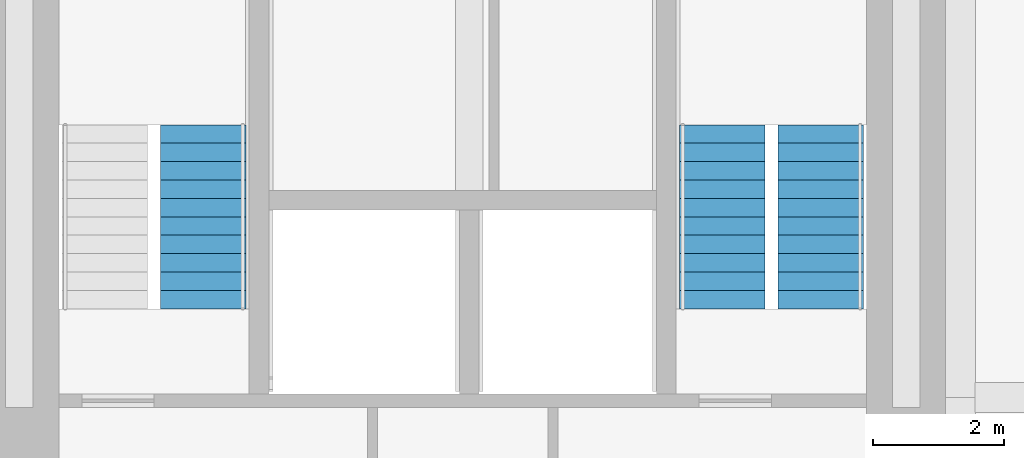
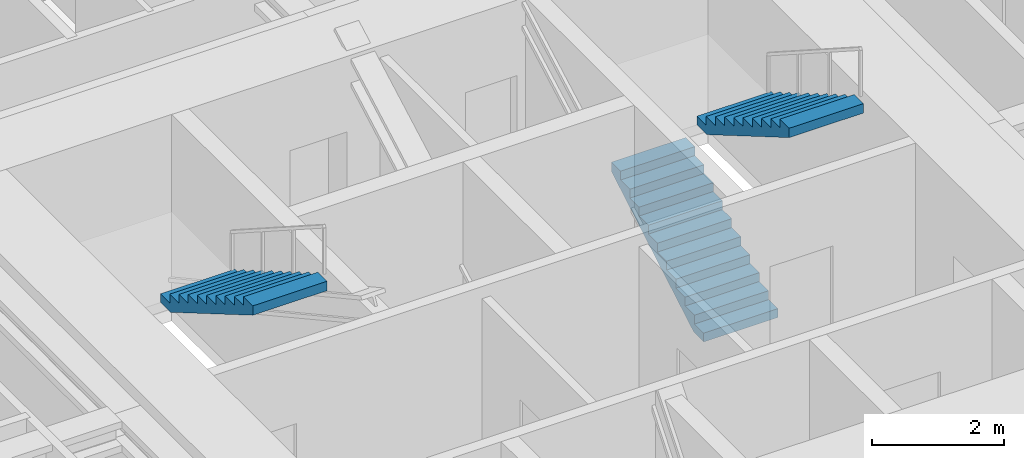
# One storey, part 12 of 13: 3 stair flights, 2 elements without a shape of their own.
"""IFC4 building model written with IfcOpenShell, lengths in metres."""

from ifc_helpers import new_model, si_unit, direction, frame, origin, place, context, subcontext, project, spatial, polyline, outline, extrude, material, type_object, element, aggregate, save


model = new_model("IFC4")

# Units and contexts
model_context = context("Model", 3, precision=1e-05, world=origin(), true_north=direction((0.0, 1.0)))
body_context = subcontext(model_context, "Body", "Model", "MODEL_VIEW")
ifc_project = project(units=[si_unit("LENGTHUNIT", "METRE"), si_unit("AREAUNIT", "SQUARE_METRE"), si_unit("VOLUMEUNIT", "CUBIC_METRE"), si_unit("PLANEANGLEUNIT", "RADIAN"), si_unit("MASSUNIT", "GRAM", prefix="KILO")], contexts=[model_context])

# Site, building, storey
site_placement = place(None, origin())
site = spatial("IfcSite", under=ifc_project, at=site_placement, CompositionType="ELEMENT")
building_placement = place(site_placement, origin())
building = spatial("IfcBuilding", under=site, at=building_placement, Name="Nyansa Garden Tower", CompositionType="ELEMENT")
storey_placement = place(building_placement, frame((0.0, 0.0, 116.10009765625)))
storey = spatial("IfcBuildingStorey", under=building, at=storey_placement, Name="L31", CompositionType="ELEMENT", Elevation=116.10009765625)

# Stair, stair flight
ifc_material_1 = material(Name="Precast concrete C40/50", Category="concrete")
stair_type_1 = type_object("IfcStairType", Name="Stair S1 164x280", PredefinedType="HALF_TURN_STAIR", material=ifc_material_1)
stair_1_placement = place(storey_placement, origin())
stair_1 = element("IfcStair", 1, at=stair_1_placement, inside=storey, type_object=stair_type_1, Name="Stair S1 L31", PredefinedType="HALF_TURN_STAIR")
ifc_material_2 = material(Name="Precast concrete C40/50", Category="concrete")
stair_flight_type_1 = type_object("IfcStairFlightType", Name="Stair flight S1 164x280x11", PredefinedType="STRAIGHT", material=ifc_material_2)
stair_flight_1_placement = place(storey_placement, frame((16.300048828125, 24.39990234375, 1.7998046875), z_axis=(0.0, 0.0, 1.0), x_axis=(0.0, -1.0, 0.0)))
stair_flight_1 = element("IfcStairFlight", 2, at=stair_flight_1_placement, type_object=stair_flight_type_1, Name="S1 flight 2", NumberOfRisers=11, NumberOfTreads=10, PredefinedType="STRAIGHT", RiserHeight=0.163636364, TreadLength=0.28, context=body_context, shape_type="SweptSolid", body=[
    extrude(outline(polyline([(0.0, 0.0), (0.0, 0.16357421875), (0.280029296875, 0.16357421875), (0.280029296875, 0.327392578125), (0.56005859375, 0.327392578125), (0.56005859375, 0.490966796875), (0.840087890625, 0.490966796875), (0.840087890625, 0.654541015625), (1.1201171875, 0.654541015625), (1.1201171875, 0.818115234375), (1.39990234375, 0.818115234375), (1.39990234375, 0.98193359375), (1.679931640625, 0.98193359375), (1.679931640625, 1.1455078125), (1.9599609375, 1.1455078125), (1.9599609375, 1.30908203125), (2.239990234375, 1.30908203125), (2.239990234375, 1.47265625), (2.52001953125, 1.47265625), (2.52001953125, 1.636474609375), (2.800048828125, 1.636474609375), (2.800048828125, 1.800048828125), (2.800048828125, 1.462646484375), (0.297119140625, 0.0), (0.0, 0.0)])), frame((0.0, 0.64990234375, 0.0), z_axis=(0.0, -1.0, 0.0), x_axis=(1.0, 0.0, 0.0)), (0.0, 0.0, 1.0), 1.300048828125),
])
aggregate(stair_1, [stair_flight_1])

# Stair, stair flights
ifc_material_3 = material(Name="Precast concrete C40/50", Category="concrete")
stair_type_2 = type_object("IfcStairType", Name="Stair S2 164x280", PredefinedType="HALF_TURN_STAIR", material=ifc_material_3)
stair_2_placement = place(storey_placement, origin())
stair_2 = element("IfcStair", 3, at=stair_2_placement, inside=storey, type_object=stair_type_2, Name="Stair S2 L31", PredefinedType="HALF_TURN_STAIR")
ifc_material_4 = material(Name="Precast concrete C40/50", Category="concrete")
stair_flight_type_2 = type_object("IfcStairFlightType", Name="Stair flight S2 164x280x11", PredefinedType="STRAIGHT", material=ifc_material_4)
stair_flight_2_placement = place(storey_placement, frame((24.199951171875, 21.60009765625, 0.0), z_axis=(0.0, 0.0, 1.0), x_axis=(0.0, 1.0, 0.0)))
stair_flight_2 = element("IfcStairFlight", 4, at=stair_flight_2_placement, type_object=stair_flight_type_2, Name="S2 flight 1", NumberOfRisers=11, NumberOfTreads=10, PredefinedType="STRAIGHT", RiserHeight=0.163636364, TreadLength=0.28, context=body_context, shape_type="SweptSolid", body=[
    extrude(outline(polyline([(0.0, 0.0), (0.0, 0.16357421875), (0.280029296875, 0.16357421875), (0.280029296875, 0.327392578125), (0.56005859375, 0.327392578125), (0.56005859375, 0.490966796875), (0.840087890625, 0.490966796875), (0.840087890625, 0.654541015625), (1.1201171875, 0.654541015625), (1.1201171875, 0.818115234375), (1.39990234375, 0.818115234375), (1.39990234375, 0.98193359375), (1.679931640625, 0.98193359375), (1.679931640625, 1.1455078125), (1.9599609375, 1.1455078125), (1.9599609375, 1.30908203125), (2.239990234375, 1.30908203125), (2.239990234375, 1.47265625), (2.52001953125, 1.47265625), (2.52001953125, 1.636474609375), (2.800048828125, 1.636474609375), (2.800048828125, 1.800048828125), (2.800048828125, 1.462646484375), (0.297119140625, 0.0), (0.0, 0.0)])), frame((0.0, 0.64990234375, 0.0), z_axis=(0.0, -1.0, 0.0), x_axis=(1.0, 0.0, 0.0)), (0.0, 0.0, 1.0), 1.300048828125),
])
stair_flight_3_placement = place(storey_placement, frame((25.699951171875, 24.39990234375, 1.7998046875), z_axis=(0.0, 0.0, 1.0), x_axis=(0.0, -1.0, 0.0)))
stair_flight_3 = element("IfcStairFlight", 5, at=stair_flight_3_placement, type_object=stair_flight_type_2, Name="S2 flight 2", NumberOfRisers=11, NumberOfTreads=10, PredefinedType="STRAIGHT", RiserHeight=0.163636364, TreadLength=0.28, context=body_context, shape_type="SweptSolid", body=[
    extrude(outline(polyline([(0.0, 0.0), (0.0, 0.16357421875), (0.280029296875, 0.16357421875), (0.280029296875, 0.327392578125), (0.56005859375, 0.327392578125), (0.56005859375, 0.490966796875), (0.840087890625, 0.490966796875), (0.840087890625, 0.654541015625), (1.1201171875, 0.654541015625), (1.1201171875, 0.818115234375), (1.39990234375, 0.818115234375), (1.39990234375, 0.98193359375), (1.679931640625, 0.98193359375), (1.679931640625, 1.1455078125), (1.9599609375, 1.1455078125), (1.9599609375, 1.30908203125), (2.239990234375, 1.30908203125), (2.239990234375, 1.47265625), (2.52001953125, 1.47265625), (2.52001953125, 1.636474609375), (2.800048828125, 1.636474609375), (2.800048828125, 1.800048828125), (2.800048828125, 1.462646484375), (0.297119140625, 0.0), (0.0, 0.0)])), frame((0.0, 0.64990234375, 0.0), z_axis=(0.0, -1.0, 0.0), x_axis=(1.0, 0.0, 0.0)), (0.0, 0.0, 1.0), 1.300048828125),
])
aggregate(stair_2, [stair_flight_2, stair_flight_3])

save(model, "model.ifc")
